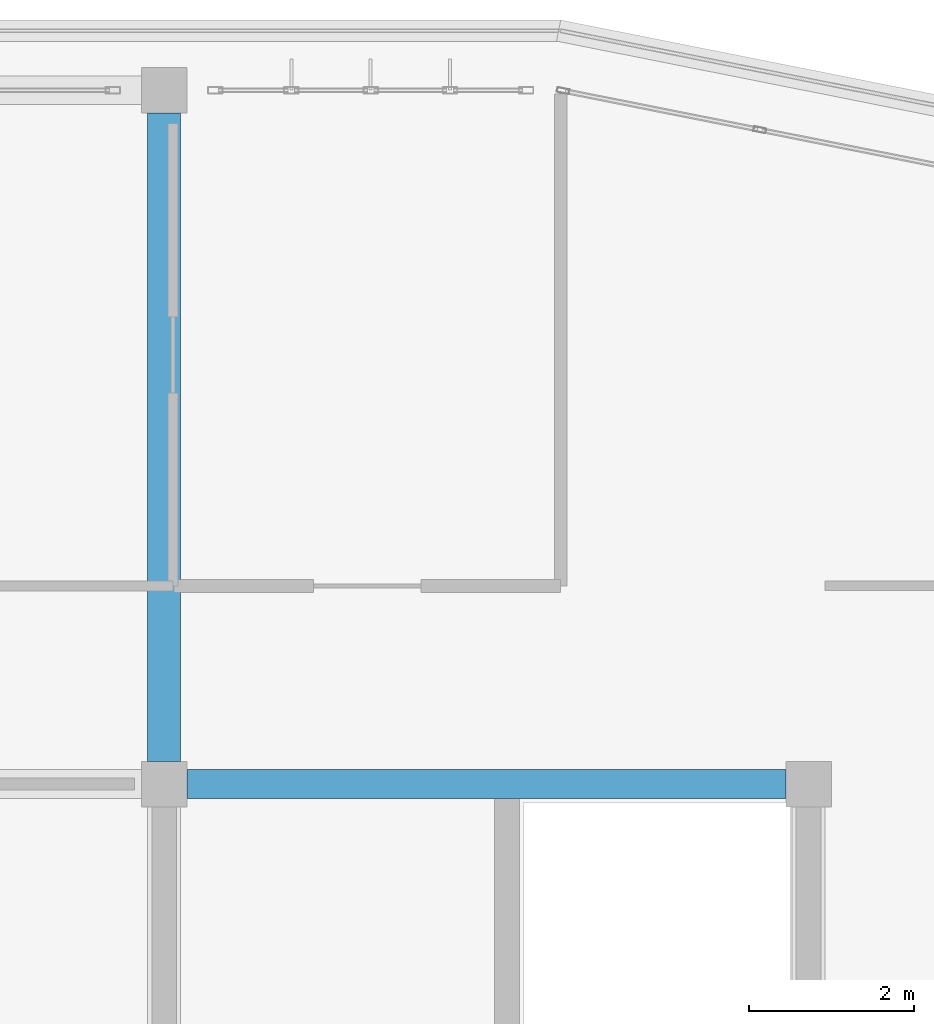
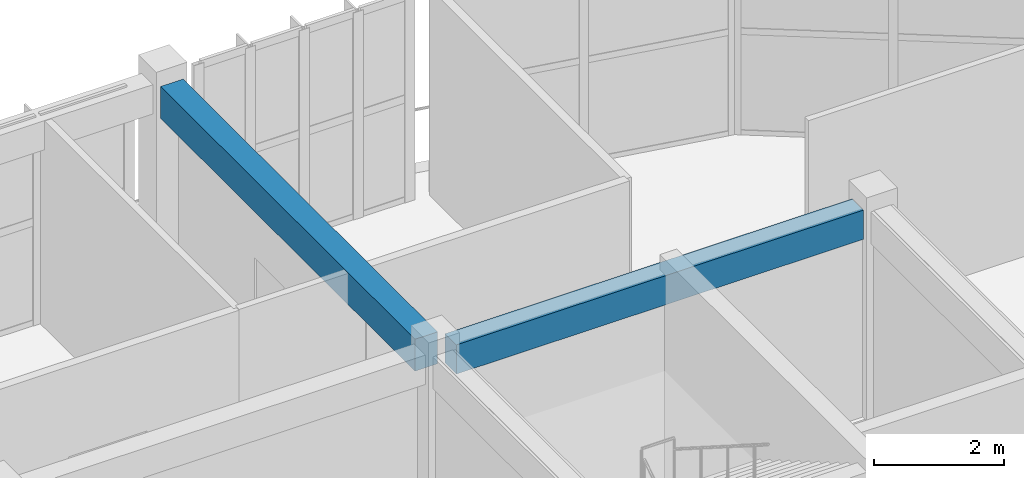
# One storey, part 23 of 44: 2 beams.
"""IFC4 building model written with IfcOpenShell, lengths in metres."""

from ifc_helpers import new_model, si_unit, direction, frame, origin, origin_2d, place, context, subcontext, project, spatial, rectangle, extrude, material, material_profile, profile_set, type_object, element, save


model = new_model("IFC4")

# Units and contexts
model_context = context("Model", 3, precision=1e-05, world=origin(), true_north=direction((0.0, 1.0)))
body_context = subcontext(model_context, "Body", "Model", "MODEL_VIEW")
ifc_project = project(units=[si_unit("LENGTHUNIT", "METRE"), si_unit("AREAUNIT", "SQUARE_METRE"), si_unit("VOLUMEUNIT", "CUBIC_METRE"), si_unit("PLANEANGLEUNIT", "RADIAN"), si_unit("MASSUNIT", "GRAM", prefix="KILO")], contexts=[model_context])

# Site, building, storey
site_placement = place(None, origin())
site = spatial("IfcSite", under=ifc_project, at=site_placement, CompositionType="ELEMENT")
building_placement = place(site_placement, origin())
building = spatial("IfcBuilding", under=site, at=building_placement, Name="Zizhar Promenade General Hospital", CompositionType="ELEMENT")
storey_placement = place(building_placement, frame((0.0, 0.0, 34.800048828125)))
storey = spatial("IfcBuildingStorey", under=building, at=storey_placement, Name="L08", CompositionType="ELEMENT", Elevation=34.800048828125)

# Beams
ifc_material_1 = material(Name="Concrete C35/45", Category="concrete")
ifc_material_profile_1 = material_profile(ifc_material_1, rectangle(XDim=0.35009765625, YDim=0.550048828125, at=origin_2d()))
ifc_profile_set_1 = profile_set([ifc_material_profile_1], Name="Concrete C35/45")
beam_type_1 = type_object("IfcBeamType", Name="BM-RC-350x550", PredefinedType="LINTEL", material=ifc_profile_set_1)
beam_1_placement = place(storey_placement, frame((93.875, 16.800048828125, 3.635009765625), z_axis=(1.0, 0.0, 0.0), x_axis=(0.0, 1.0, 0.0)))
element("IfcBeam", 1, at=beam_1_placement, inside=storey, type_object=beam_type_1, Name="Grid Beam X L08 (12-2)", PredefinedType="LINTEL", context=body_context, shape_type="SweptSolid", body=[
    extrude(rectangle(XDim=0.35009765625, YDim=0.550048828125, at=origin_2d()), origin(), (0.0, 0.0, 1.0), 7.25),
])
ifc_material_2 = material(Name="Concrete C35/45", Category="concrete")
ifc_material_profile_2 = material_profile(ifc_material_2, rectangle(XDim=0.39990234375, YDim=0.60009765625, at=origin_2d()))
ifc_profile_set_2 = profile_set([ifc_material_profile_2], Name="Concrete C35/45")
beam_type_2 = type_object("IfcBeamType", Name="BM-RC-400x600", PredefinedType="JOIST", material=ifc_profile_set_2)
beam_2_placement = place(storey_placement, frame((93.60009765625, 17.074951171875, 3.60986328125), z_axis=(0.0, 1.0, 0.0), x_axis=(-1.0, 0.0, 0.0)))
element("IfcBeam", 2, at=beam_2_placement, inside=storey, type_object=beam_type_2, Name="Grid Beam Y L08 (12-2)", PredefinedType="JOIST", context=body_context, shape_type="SweptSolid", body=[
    extrude(rectangle(XDim=0.39990234375, YDim=0.60009765625, at=origin_2d()), origin(), (0.0, 0.0, 1.0), 7.85009765625),
])

save(model, "model.ifc")
